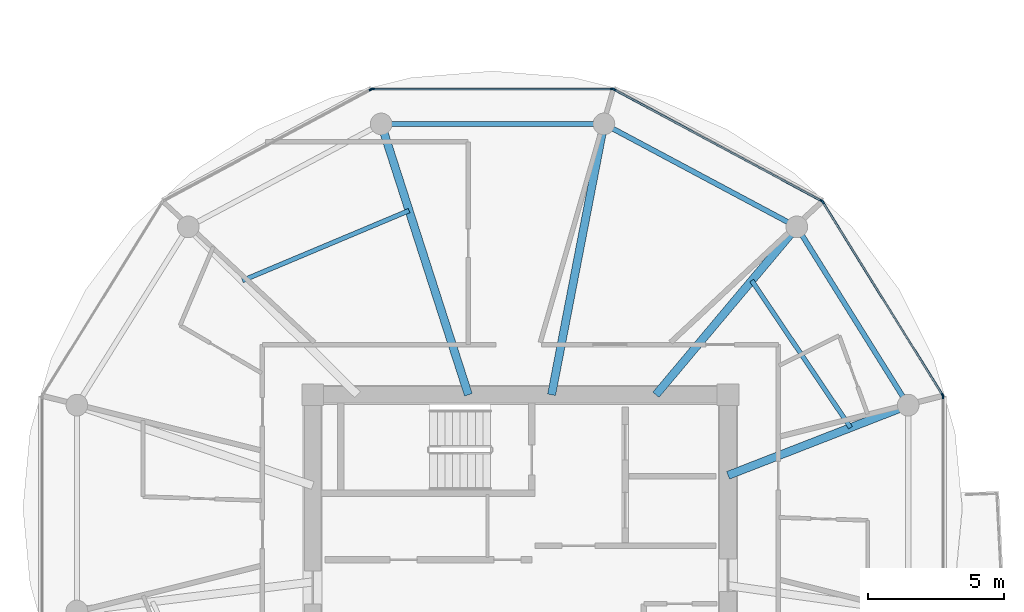
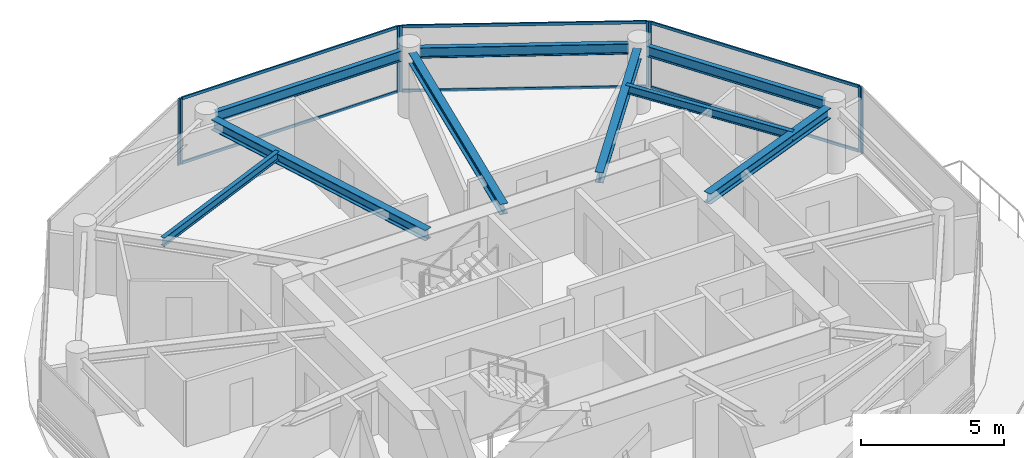
# One storey, part 10 of 22: 14 members, 9 beams, 5 elements without a shape of their own.
"""IFC4 building model written with IfcOpenShell, lengths in metres."""

from ifc_helpers import new_model, si_unit, direction, frame, origin, origin_2d, place, context, subcontext, project, spatial, rectangle, i_section, extrude, source, transform, mapped, material, layer, layer_set, material_profile, profile_set, type_object, type_shapes, element, aggregate, save


model = new_model("IFC4")

# Units and contexts
model_context = context("Model", 3, precision=1e-05, world=origin(), true_north=direction((0.0, 1.0)))
body_context = subcontext(model_context, "Body", "Model", "MODEL_VIEW")
ifc_project = project(units=[si_unit("LENGTHUNIT", "METRE"), si_unit("AREAUNIT", "SQUARE_METRE"), si_unit("VOLUMEUNIT", "CUBIC_METRE"), si_unit("PLANEANGLEUNIT", "RADIAN"), si_unit("MASSUNIT", "GRAM", prefix="KILO")], contexts=[model_context])

# Site, building, storey
site_placement = place(None, origin())
site = spatial("IfcSite", under=ifc_project, at=site_placement, CompositionType="ELEMENT")
building_placement = place(site_placement, origin())
building = spatial("IfcBuilding", under=site, at=building_placement, Name="Norrkilde Senior Care Towers", CompositionType="ELEMENT")
storey_placement = place(building_placement, frame((0.0, 0.0, 152.60009765625)))
storey = spatial("IfcBuildingStorey", under=building, at=storey_placement, Name="L47", CompositionType="ELEMENT", Elevation=152.60009765625)

# Beams
ifc_material_1 = material(Name="Steel S355", Category="steel")
ifc_material_profile_1 = material_profile(ifc_material_1, i_section(OverallWidth=0.18994140625, OverallDepth=0.449951171875, WebThickness=0.009521484375, FlangeThickness=0.0146484375, FilletRadius=0.02099609375, at=origin_2d()), Name="IPE 450")
ifc_profile_set_1 = profile_set([ifc_material_profile_1], Name="Steel S355")
beam_type_1 = type_object("IfcBeamType", Name="Perimeter Ring Spandrel Z3 IPE450", PredefinedType="SPANDREL", material=ifc_profile_set_1)
shared_shape_1 = source(origin(), body_context, "Body", "SweptSolid", [
    extrude(i_section(OverallWidth=0.18994140625, OverallDepth=0.449951171875, WebThickness=0.009521484375, FlangeThickness=0.0146484375, FilletRadius=0.02099609375, at=origin_2d()), origin(), (0.0, 0.0, 1.0), 7.0234375),
])
beam_1_placement = place(storey_placement, frame((42.09423828125, 5.872314453125, 2.5849609375), z_axis=(-0.529789577822, 0.848129119433, 0.0), x_axis=(-0.848129119433, -0.529789577822, 0.0)))
element("IfcBeam", 1, at=beam_1_placement, inside=storey, type_object=beam_type_1, Name="L47 Drum E Perimeter Spandrel 01", PredefinedType="SPANDREL", context=body_context, shape_type="MappedRepresentation", body=[
    mapped(shared_shape_1, transform((0.0, 0.0, 0.0), x_axis=(1.0, 0.0, 0.0), y_axis=(0.0, 1.0, 0.0), z_axis=(0.0, 0.0, 1.0), scale=1.0)),
])
shared_shape_2 = source(origin(), body_context, "Body", "SweptSolid", [
    extrude(i_section(OverallWidth=0.18994140625, OverallDepth=0.449951171875, WebThickness=0.009521484375, FlangeThickness=0.0146484375, FilletRadius=0.02099609375, at=origin_2d()), origin(), (0.0, 0.0, 1.0), 7.333740234375),
])
beam_2_placement = place(storey_placement, frame((37.864990234375, 12.303955078125, 2.5849609375), z_axis=(-0.882247866069, 0.470785198172, 0.0), x_axis=(-0.470785198172, -0.882247866069, 0.0)))
element("IfcBeam", 2, at=beam_2_placement, inside=storey, type_object=beam_type_1, Name="L47 Drum E Perimeter Spandrel 02", PredefinedType="SPANDREL", context=body_context, shape_type="MappedRepresentation", body=[
    mapped(shared_shape_2, transform((0.0, 0.0, 0.0), x_axis=(1.0, 0.0, 0.0), y_axis=(0.0, 1.0, 0.0), z_axis=(0.0, 0.0, 1.0), scale=1.0)),
])
shared_shape_3 = source(origin(), body_context, "Body", "SweptSolid", [
    extrude(i_section(OverallWidth=0.18994140625, OverallDepth=0.449951171875, WebThickness=0.009521484375, FlangeThickness=0.0146484375, FilletRadius=0.02099609375, at=origin_2d()), origin(), (0.0, 0.0, 1.0), 7.484619140625),
])
type_shapes(beam_type_1, [shared_shape_1, shared_shape_2, shared_shape_3])
beam_3_placement = place(storey_placement, frame((30.71728515625, 15.92626953125, 2.5849609375), z_axis=(-1.0, 0.0, 0.0), x_axis=(0.0, -1.0, 0.0)))
element("IfcBeam", 3, at=beam_3_placement, inside=storey, type_object=beam_type_1, Name="L47 Drum E Perimeter Spandrel 03", PredefinedType="SPANDREL", context=body_context, shape_type="MappedRepresentation", body=[
    mapped(shared_shape_3, transform((0.0, 0.0, 0.0), x_axis=(1.0, 0.0, 0.0), y_axis=(0.0, 1.0, 0.0), z_axis=(0.0, 0.0, 1.0), scale=1.0)),
])
ifc_material_profile_2 = material_profile(ifc_material_1, i_section(OverallWidth=0.300048828125, OverallDepth=0.449951171875, WebThickness=0.013916015625, FlangeThickness=0.02587890625, FilletRadius=0.027099609375, at=origin_2d()), Name="HEB 450")
ifc_profile_set_2 = profile_set([ifc_material_profile_2], Name="Steel S355")
beam_type_2 = type_object("IfcBeamType", Name="Radial Floor Beam Z3 HEB450", PredefinedType="BEAM", material=ifc_profile_set_2)
shared_shape_4 = source(origin(), body_context, "Body", "SweptSolid", [
    extrude(i_section(OverallWidth=0.300048828125, OverallDepth=0.449951171875, WebThickness=0.013916015625, FlangeThickness=0.02587890625, FilletRadius=0.027099609375, at=origin_2d()), origin(), (0.0, 0.0, 1.0), 10.120361328125),
])
beam_4_placement = place(storey_placement, frame((26.08447265625, 5.949951171875, 2.5849609375), z_axis=(-0.306440973744, 0.951889662519, 0.0), x_axis=(-0.951889662519, -0.306440973744, 0.0)))
element("IfcBeam", 4, at=beam_4_placement, inside=storey, type_object=beam_type_2, Name="L47 Drum E Radial Floor Beam 04", PredefinedType="BEAM", context=body_context, shape_type="MappedRepresentation", body=[
    mapped(shared_shape_4, transform((0.0, 0.0, 0.0), x_axis=(1.0, 0.0, 0.0), y_axis=(0.0, 1.0, 0.0), z_axis=(0.0, 0.0, 1.0), scale=1.0)),
])
shared_shape_5 = source(origin(), body_context, "Body", "SweptSolid", [
    extrude(i_section(OverallWidth=0.300048828125, OverallDepth=0.449951171875, WebThickness=0.013916015625, FlangeThickness=0.02587890625, FilletRadius=0.027099609375, at=origin_2d()), origin(), (0.0, 0.0, 1.0), 9.80078125),
])
beam_5_placement = place(storey_placement, frame((29.149658203125, 5.949951171875, 2.5849609375), z_axis=(0.189716727661, 0.98183886827, 0.0), x_axis=(-0.98183886827, 0.189716727661, 0.0)))
element("IfcBeam", 5, at=beam_5_placement, inside=storey, type_object=beam_type_2, Name="L47 Drum E Radial Floor Beam 03", PredefinedType="BEAM", context=body_context, shape_type="MappedRepresentation", body=[
    mapped(shared_shape_5, transform((0.0, 0.0, 0.0), x_axis=(1.0, 0.0, 0.0), y_axis=(0.0, 1.0, 0.0), z_axis=(0.0, 0.0, 1.0), scale=1.0)),
])
shared_shape_6 = source(origin(), body_context, "Body", "SweptSolid", [
    extrude(i_section(OverallWidth=0.300048828125, OverallDepth=0.449951171875, WebThickness=0.013916015625, FlangeThickness=0.02587890625, FilletRadius=0.027099609375, at=origin_2d()), origin(), (0.0, 0.0, 1.0), 7.71337890625),
])
beam_6_placement = place(storey_placement, frame((32.992919921875, 5.949951171875, 2.5849609375), z_axis=(0.642808239864, 0.766027131872, 0.0), x_axis=(-0.766027131872, 0.642808239864, 0.0)))
element("IfcBeam", 6, at=beam_6_placement, inside=storey, type_object=beam_type_2, Name="L47 Drum E Radial Floor Beam 02", PredefinedType="BEAM", context=body_context, shape_type="MappedRepresentation", body=[
    mapped(shared_shape_6, transform((0.0, 0.0, 0.0), x_axis=(1.0, 0.0, 0.0), y_axis=(0.0, 1.0, 0.0), z_axis=(0.0, 0.0, 1.0), scale=1.0)),
])
shared_shape_7 = source(origin(), body_context, "Body", "SweptSolid", [
    extrude(i_section(OverallWidth=0.300048828125, OverallDepth=0.449951171875, WebThickness=0.013916015625, FlangeThickness=0.02587890625, FilletRadius=0.027099609375, at=origin_2d()), origin(), (0.0, 0.0, 1.0), 6.760986328125),
])
type_shapes(beam_type_2, [shared_shape_4, shared_shape_5, shared_shape_6, shared_shape_7])
beam_7_placement = place(storey_placement, frame((35.64990234375, 2.981201171875, 2.5849609375), z_axis=(0.931742171387, 0.363120539297, 0.0), x_axis=(-0.363120539297, 0.931742171387, 0.0)))
element("IfcBeam", 7, at=beam_7_placement, inside=storey, type_object=beam_type_2, Name="L47 Drum E Radial Floor Beam 01", PredefinedType="BEAM", context=body_context, shape_type="MappedRepresentation", body=[
    mapped(shared_shape_7, transform((0.0, 0.0, 0.0), x_axis=(1.0, 0.0, 0.0), y_axis=(0.0, 1.0, 0.0), z_axis=(0.0, 0.0, 1.0), scale=1.0)),
])
ifc_material_profile_3 = material_profile(ifc_material_1, i_section(OverallWidth=0.169921875, OverallDepth=0.360107421875, WebThickness=0.008056640625, FlangeThickness=0.0126953125, FilletRadius=0.01806640625, at=origin_2d()), Name="IPE 360")
ifc_profile_set_3 = profile_set([ifc_material_profile_3], Name="Steel S355")
beam_type_3 = type_object("IfcBeamType", Name="Secondary Floor Joist IPE360", PredefinedType="JOIST", material=ifc_profile_set_3)
shared_shape_8 = source(origin(), body_context, "Body", "SweptSolid", [
    extrude(i_section(OverallWidth=0.169921875, OverallDepth=0.360107421875, WebThickness=0.008056640625, FlangeThickness=0.0126953125, FilletRadius=0.01806640625, at=origin_2d()), origin(), (0.0, 0.0, 1.0), 6.657470703125),
])
beam_8_placement = place(storey_placement, frame((23.900390625, 12.73388671875, 2.6298828125), z_axis=(-0.921958799252, -0.387287971, 0.0), x_axis=(0.387287971, -0.921958799252, 0.0)))
element("IfcBeam", 8, at=beam_8_placement, inside=storey, type_object=beam_type_3, Name="L47 Drum E Secondary Floor Joist 2", PredefinedType="JOIST", context=body_context, shape_type="MappedRepresentation", body=[
    mapped(shared_shape_8, transform((0.0, 0.0, 0.0), x_axis=(1.0, 0.0, 0.0), y_axis=(0.0, 1.0, 0.0), z_axis=(0.0, 0.0, 1.0), scale=1.0)),
])
shared_shape_9 = source(origin(), body_context, "Body", "SweptSolid", [
    extrude(i_section(OverallWidth=0.169921875, OverallDepth=0.360107421875, WebThickness=0.008056640625, FlangeThickness=0.0126953125, FilletRadius=0.01806640625, at=origin_2d()), origin(), (0.0, 0.0, 1.0), 6.525390625),
])
type_shapes(beam_type_3, [shared_shape_8, shared_shape_9])
beam_9_placement = place(storey_placement, frame((40.161865234375, 4.739501953125, 2.6298828125), z_axis=(-0.55779590102, 0.829978152005, 0.0), x_axis=(-0.829978152005, -0.55779590102, 0.0)))
element("IfcBeam", 9, at=beam_9_placement, inside=storey, type_object=beam_type_3, Name="L47 Drum E Secondary Floor Joist 1", PredefinedType="JOIST", context=body_context, shape_type="MappedRepresentation", body=[
    mapped(shared_shape_9, transform((0.0, 0.0, 0.0), x_axis=(1.0, 0.0, 0.0), y_axis=(0.0, 1.0, 0.0), z_axis=(0.0, 0.0, 1.0), scale=1.0)),
])

# Curtain wall, members
ifc_material_2 = material(Name="Triple Low-E Insulated Glazing", Category="glass")
ifc_layer = layer(ifc_material_2, 0.18994140625)
ifc_layer_set = layer_set([ifc_layer], Name="Triple Low-E Insulated Glazing")
curtain_wall_type = type_object("IfcCurtainWallType", Name="CW4 Zone 3 Senior Residence Curtain Wall", PredefinedType="NOTDEFINED", material=ifc_layer_set)
curtain_wall_1_placement = place(storey_placement, origin())
curtain_wall_1 = element("IfcCurtainWall", 10, at=curtain_wall_1_placement, inside=storey, type_object=curtain_wall_type, Name="L47 Drum E Curtain Wall 00", PredefinedType="NOTDEFINED")
ifc_material_3 = material(Name="Anodised Aluminium", Category="aluminium")
ifc_material_profile_4 = material_profile(ifc_material_3, rectangle(XDim=0.06005859375, YDim=0.1201171875, at=origin_2d()), Name="ALU TRAN 60x120")
ifc_profile_set_4 = profile_set([ifc_material_profile_4], Name="Anodised Aluminium")
member_type_1 = type_object("IfcMemberType", Name="Curtain Wall Transom Typical 60x120", PredefinedType="USERDEFINED", material=ifc_profile_set_4)
shared_shape_10 = source(origin(), body_context, "Body", "SweptSolid", [
    extrude(rectangle(XDim=0.06005859375, YDim=0.1201171875, at=origin_2d()), origin(), (0.0, 0.0, 1.0), 8.301513671875),
])
member_1_placement = place(storey_placement, frame((39.157470703125, 13.019775390625, 0.02978515625), z_axis=(0.527368718394, -0.849636531029, 0.0), x_axis=(0.849636531029, 0.527368718394, 0.0)))
member_1 = element("IfcMember", 11, at=member_1_placement, type_object=member_type_1, Name="CW-4 transom 1.1", ObjectType="TRANSOM", PredefinedType="USERDEFINED", context=body_context, shape_type="MappedRepresentation", body=[
    mapped(shared_shape_10, transform((0.0, 0.0, 0.0), x_axis=(1.0, 0.0, 0.0), y_axis=(0.0, 1.0, 0.0), z_axis=(0.0, 0.0, 1.0), scale=1.0)),
])
member_2_placement = place(storey_placement, frame((39.157470703125, 13.019775390625, 2.77978515625), z_axis=(0.527368718394, -0.849636531029, 0.0), x_axis=(0.849636531029, 0.527368718394, 0.0)))
member_2 = element("IfcMember", 12, at=member_2_placement, type_object=member_type_1, Name="CW-4 transom 1.2", ObjectType="TRANSOM", PredefinedType="USERDEFINED", context=body_context, shape_type="MappedRepresentation", body=[
    mapped(shared_shape_10, transform((0.0, 0.0, 0.0), x_axis=(1.0, 0.0, 0.0), y_axis=(0.0, 1.0, 0.0), z_axis=(0.0, 0.0, 1.0), scale=1.0)),
])

curtain_wall_2_placement = place(storey_placement, origin())
curtain_wall_2 = element("IfcCurtainWall", 13, at=curtain_wall_2_placement, inside=storey, type_object=curtain_wall_type, Name="L47 Drum E Curtain Wall 02", PredefinedType="NOTDEFINED")
shared_shape_11 = source(origin(), body_context, "Body", "SweptSolid", [
    extrude(rectangle(XDim=0.06005859375, YDim=0.1201171875, at=origin_2d()), origin(), (0.0, 0.0, 1.0), 8.762939453125),
])
member_3_placement = place(storey_placement, frame((22.593505859375, 17.2109375, 0.02978515625), z_axis=(1.0, 0.0, 0.0), x_axis=(0.0, 1.0, 0.0)))
member_3 = element("IfcMember", 14, at=member_3_placement, type_object=member_type_1, Name="CW-4 transom 1.1", ObjectType="TRANSOM", PredefinedType="USERDEFINED", context=body_context, shape_type="MappedRepresentation", body=[
    mapped(shared_shape_11, transform((0.0, 0.0, 0.0), x_axis=(1.0, 0.0, 0.0), y_axis=(0.0, 1.0, 0.0), z_axis=(0.0, 0.0, 1.0), scale=1.0)),
])
member_4_placement = place(storey_placement, frame((22.593505859375, 17.2109375, 2.77978515625), z_axis=(1.0, 0.0, 0.0), x_axis=(0.0, 1.0, 0.0)))
member_4 = element("IfcMember", 15, at=member_4_placement, type_object=member_type_1, Name="CW-4 transom 1.2", ObjectType="TRANSOM", PredefinedType="USERDEFINED", context=body_context, shape_type="MappedRepresentation", body=[
    mapped(shared_shape_11, transform((0.0, 0.0, 0.0), x_axis=(1.0, 0.0, 0.0), y_axis=(0.0, 1.0, 0.0), z_axis=(0.0, 0.0, 1.0), scale=1.0)),
])

curtain_wall_3_placement = place(storey_placement, origin())
curtain_wall_3 = element("IfcCurtainWall", 16, at=curtain_wall_3_placement, inside=storey, type_object=curtain_wall_type, Name="L47 Drum E Curtain Wall 01", PredefinedType="NOTDEFINED")
shared_shape_12 = source(origin(), body_context, "Body", "SweptSolid", [
    extrude(rectangle(XDim=0.06005859375, YDim=0.1201171875, at=origin_2d()), origin(), (0.0, 0.0, 1.0), 8.612060546875),
])
type_shapes(member_type_1, [shared_shape_10, shared_shape_11, shared_shape_12])
member_5_placement = place(storey_placement, frame((31.478759765625, 17.18017578125, 0.02978515625), z_axis=(0.881000337462, -0.473115636384, 0.0), x_axis=(0.473115636384, 0.881000337462, 0.0)))
member_5 = element("IfcMember", 17, at=member_5_placement, type_object=member_type_1, Name="CW-4 transom 1.1", ObjectType="TRANSOM", PredefinedType="USERDEFINED", context=body_context, shape_type="MappedRepresentation", body=[
    mapped(shared_shape_12, transform((0.0, 0.0, 0.0), x_axis=(1.0, 0.0, 0.0), y_axis=(0.0, 1.0, 0.0), z_axis=(0.0, 0.0, 1.0), scale=1.0)),
])
member_6_placement = place(storey_placement, frame((31.478759765625, 17.18017578125, 2.77978515625), z_axis=(0.881000337462, -0.473115636384, 0.0), x_axis=(0.473115636384, 0.881000337462, 0.0)))
member_6 = element("IfcMember", 18, at=member_6_placement, type_object=member_type_1, Name="CW-4 transom 1.2", ObjectType="TRANSOM", PredefinedType="USERDEFINED", context=body_context, shape_type="MappedRepresentation", body=[
    mapped(shared_shape_12, transform((0.0, 0.0, 0.0), x_axis=(1.0, 0.0, 0.0), y_axis=(0.0, 1.0, 0.0), z_axis=(0.0, 0.0, 1.0), scale=1.0)),
])

# Member
ifc_material_profile_5 = material_profile(ifc_material_3, rectangle(XDim=0.06494140625, YDim=0.14990234375, at=origin_2d()), Name="ALU MULL 65x150")
ifc_profile_set_5 = profile_set([ifc_material_profile_5], Name="Anodised Aluminium")
member_type_2 = type_object("IfcMemberType", Name="Curtain Wall Mullion Z3-Z4 65x150", PredefinedType="MULLION", material=ifc_profile_set_5)
shared_shape_13 = source(origin(), body_context, "Body", "SweptSolid", [
    extrude(rectangle(XDim=0.06494140625, YDim=0.14990234375, at=origin_2d()), origin(), (0.0, 0.0, 1.0), 2.809814453125),
])
type_shapes(member_type_2, [shared_shape_13])
member_7_placement = place(storey_placement, frame((39.14013671875, 13.04736328125, 0.0), z_axis=(0.0, 0.0, 1.0), x_axis=(0.84963405474, 0.52737270789, 0.0)))
member_7 = element("IfcMember", 19, at=member_7_placement, type_object=member_type_2, Name="CW-4 mullion 1", PredefinedType="MULLION", context=body_context, shape_type="MappedRepresentation", body=[
    mapped(shared_shape_13, transform((0.0, 0.0, 0.0), x_axis=(1.0, 0.0, 0.0), y_axis=(0.0, 1.0, 0.0), z_axis=(0.0, 0.0, 1.0), scale=1.0)),
])

member_8_placement = place(storey_placement, frame((43.552490234375, 5.93896484375, 0.0), z_axis=(0.0, 0.0, 1.0), x_axis=(0.84963405474, 0.52737270789, 0.0)))
member_8 = element("IfcMember", 20, at=member_8_placement, type_object=member_type_2, Name="CW-4 mullion 2", PredefinedType="MULLION", context=body_context, shape_type="MappedRepresentation", body=[
    mapped(shared_shape_13, transform((0.0, 0.0, 0.0), x_axis=(1.0, 0.0, 0.0), y_axis=(0.0, 1.0, 0.0), z_axis=(0.0, 0.0, 1.0), scale=1.0)),
])

aggregate(curtain_wall_1, [member_7, member_8, member_1, member_2])

member_9_placement = place(storey_placement, frame((31.4501953125, 17.195556640625, 0.0), z_axis=(0.0, 0.0, 1.0), x_axis=(0.47311715104, 0.880999524059, 0.0)))
member_9 = element("IfcMember", 21, at=member_9_placement, type_object=member_type_2, Name="CW-4 mullion 1", PredefinedType="MULLION", context=body_context, shape_type="MappedRepresentation", body=[
    mapped(shared_shape_13, transform((0.0, 0.0, 0.0), x_axis=(1.0, 0.0, 0.0), y_axis=(0.0, 1.0, 0.0), z_axis=(0.0, 0.0, 1.0), scale=1.0)),
])

member_10_placement = place(storey_placement, frame((39.094482421875, 13.09033203125, 0.0), z_axis=(0.0, 0.0, 1.0), x_axis=(0.47311715104, 0.880999524059, 0.0)))
member_10 = element("IfcMember", 22, at=member_10_placement, type_object=member_type_2, Name="CW-4 mullion 2", PredefinedType="MULLION", context=body_context, shape_type="MappedRepresentation", body=[
    mapped(shared_shape_13, transform((0.0, 0.0, 0.0), x_axis=(1.0, 0.0, 0.0), y_axis=(0.0, 1.0, 0.0), z_axis=(0.0, 0.0, 1.0), scale=1.0)),
])

aggregate(curtain_wall_3, [member_9, member_10, member_5, member_6])

member_11_placement = place(storey_placement, frame((22.56103515625, 17.2109375, 0.0), z_axis=(0.0, 0.0, 1.0), x_axis=(0.0, 1.0, 0.0)))
member_11 = element("IfcMember", 23, at=member_11_placement, type_object=member_type_2, Name="CW-4 mullion 1", PredefinedType="MULLION", context=body_context, shape_type="MappedRepresentation", body=[
    mapped(shared_shape_13, transform((0.0, 0.0, 0.0), x_axis=(1.0, 0.0, 0.0), y_axis=(0.0, 1.0, 0.0), z_axis=(0.0, 0.0, 1.0), scale=1.0)),
])

member_12_placement = place(storey_placement, frame((31.388916015625, 17.2109375, 0.0), z_axis=(0.0, 0.0, 1.0), x_axis=(0.0, 1.0, 0.0)))
member_12 = element("IfcMember", 24, at=member_12_placement, type_object=member_type_2, Name="CW-4 mullion 2", PredefinedType="MULLION", context=body_context, shape_type="MappedRepresentation", body=[
    mapped(shared_shape_13, transform((0.0, 0.0, 0.0), x_axis=(1.0, 0.0, 0.0), y_axis=(0.0, 1.0, 0.0), z_axis=(0.0, 0.0, 1.0), scale=1.0)),
])

aggregate(curtain_wall_2, [member_11, member_12, member_3, member_4])

# Curtain wall, member
curtain_wall_4_placement = place(storey_placement, origin())
curtain_wall_4 = element("IfcCurtainWall", 25, at=curtain_wall_4_placement, inside=storey, type_object=curtain_wall_type, Name="L47 Drum E Curtain Wall 03", PredefinedType="NOTDEFINED")
member_13_placement = place(storey_placement, frame((22.499755859375, 17.195556640625, 0.0), z_axis=(0.0, 0.0, 1.0), x_axis=(-0.47311715104, 0.880999524059, 0.0)))
member_13 = element("IfcMember", 26, at=member_13_placement, type_object=member_type_2, Name="CW-4 mullion 2", PredefinedType="MULLION", context=body_context, shape_type="MappedRepresentation", body=[
    mapped(shared_shape_13, transform((0.0, 0.0, 0.0), x_axis=(1.0, 0.0, 0.0), y_axis=(0.0, 1.0, 0.0), z_axis=(0.0, 0.0, 1.0), scale=1.0)),
])
aggregate(curtain_wall_4, [member_13])

curtain_wall_5_placement = place(storey_placement, origin())
curtain_wall_5 = element("IfcCurtainWall", 27, at=curtain_wall_5_placement, inside=storey, type_object=curtain_wall_type, Name="L47 Drum E Curtain Wall 11", PredefinedType="NOTDEFINED")
member_14_placement = place(storey_placement, frame((43.569580078125, 5.878662109375, 0.0), z_axis=(0.0, 0.0, 1.0), x_axis=(1.0, 0.0, 0.0)))
member_14 = element("IfcMember", 28, at=member_14_placement, type_object=member_type_2, Name="CW-4 mullion 1", PredefinedType="MULLION", context=body_context, shape_type="MappedRepresentation", body=[
    mapped(shared_shape_13, transform((0.0, 0.0, 0.0), x_axis=(1.0, 0.0, 0.0), y_axis=(0.0, 1.0, 0.0), z_axis=(0.0, 0.0, 1.0), scale=1.0)),
])
aggregate(curtain_wall_5, [member_14])

save(model, "model.ifc")
